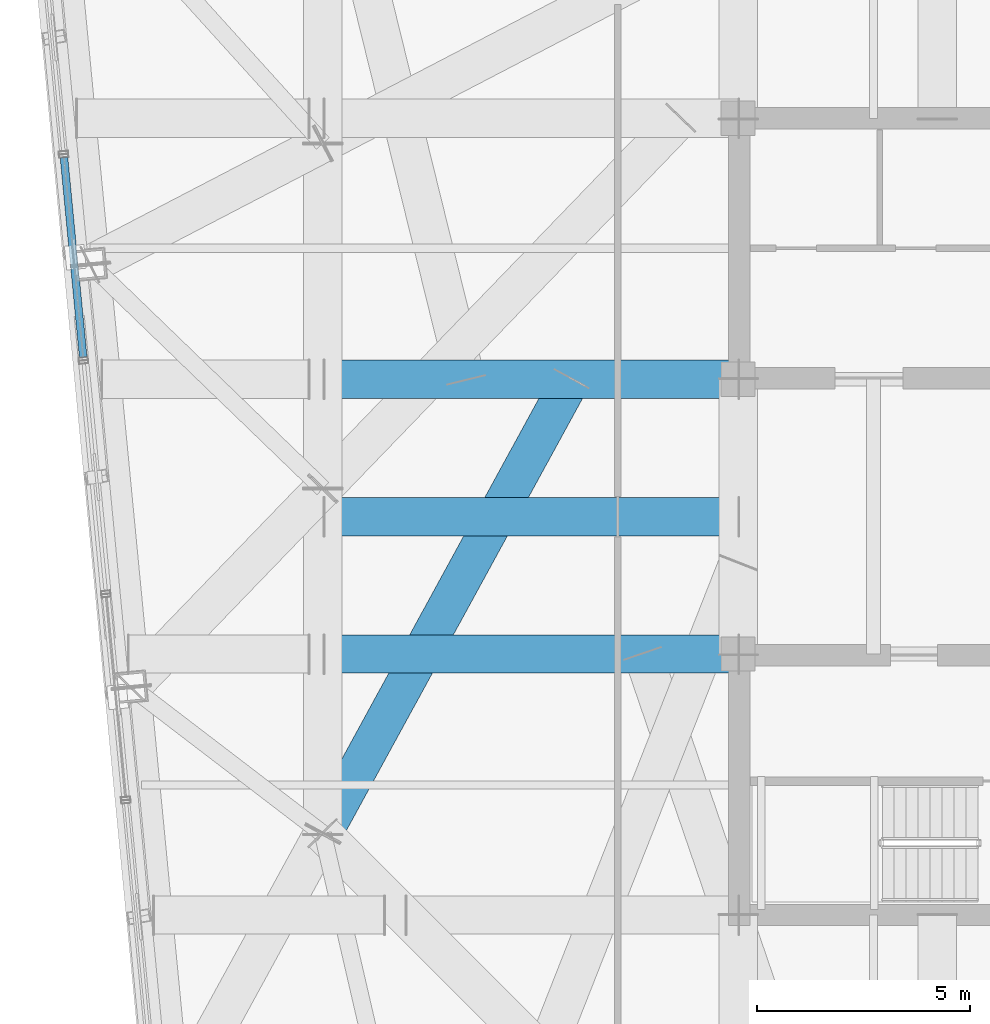
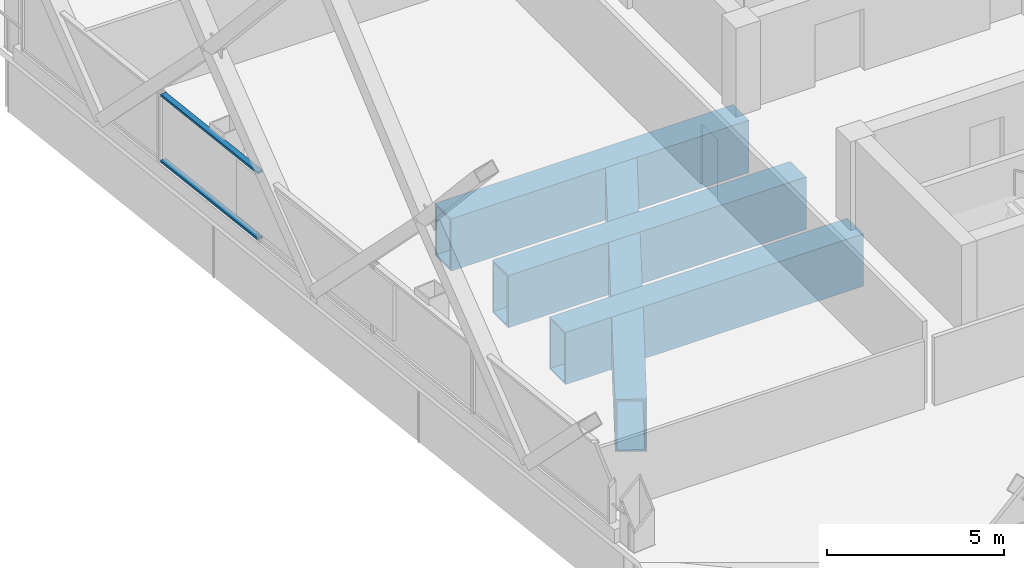
# One storey, part 11 of 37: 4 beams, 2 members, 1 element without a shape of its own.
"""IFC4 building model written with IfcOpenShell, lengths in metres."""

from ifc_helpers import new_model, si_unit, direction, frame, origin, origin_2d, place, context, subcontext, project, spatial, hollow_rectangle, extrude, material, layer, layer_set, material_profile, profile_set, type_object, element, aggregate, save


model = new_model("IFC4")

# Units and contexts
model_context = context("Model", 3, precision=1e-05, world=origin(), true_north=direction((0.0, 1.0)))
body_context = subcontext(model_context, "Body", "Model", "MODEL_VIEW")
ifc_project = project(units=[si_unit("LENGTHUNIT", "METRE"), si_unit("AREAUNIT", "SQUARE_METRE"), si_unit("VOLUMEUNIT", "CUBIC_METRE"), si_unit("PLANEANGLEUNIT", "RADIAN"), si_unit("MASSUNIT", "GRAM", prefix="KILO")], contexts=[model_context])

# Site, building, storey
site_placement = place(None, origin())
site = spatial("IfcSite", under=ifc_project, at=site_placement, CompositionType="ELEMENT")
building_placement = place(site_placement, origin())
building = spatial("IfcBuilding", under=site, at=building_placement, Name="Qhalaya Broadcast Tower", CompositionType="ELEMENT")
storey_placement = place(building_placement, frame((0.0, 0.0, 156.14990234375)))
storey = spatial("IfcBuildingStorey", under=building, at=storey_placement, Name="L45", CompositionType="ELEMENT", Elevation=156.14990234375)

# Beams
ifc_material_1 = material(Name="Structural Steel ASTM A572 Grade 50", Category="steel")
ifc_material_profile_1 = material_profile(ifc_material_1, hollow_rectangle(XDim=0.89990234375, YDim=1.800048828125, WallThickness=0.06005859375, at=origin_2d()), Name="BOX 900x1800x60")
ifc_profile_set_1 = profile_set([ifc_material_profile_1], Name="Structural Steel ASTM A572 Grade 50")
beam_type = type_object("IfcBeamType", Name="Block Cantilever Transfer Box Girder TG1", PredefinedType="USERDEFINED", material=ifc_profile_set_1)
for number, where, z_axis, x_axis, name in (
    (1, (-19.080078125, 0.60009765625, -1.119873046875), (1.0, 0.0, 0.0), (0.0, 1.0, 0.0), "L45 TG1 L45-TGIYW-1"),
    (2, (-19.080078125, -2.625, -1.119873046875), (1.0, 0.0, 0.0), (0.0, 1.0, 0.0), "L45 TG1 L45-TGIY2W-1"),
    (3, (-19.080078125, 3.824951171875, -1.119873046875), (1.0, 0.0, 0.0), (0.0, 1.0, 0.0), "L45 TG1 L45-TGIY3W-1"),
):
    element("IfcBeam", number, at=place(storey_placement, frame(where, z_axis=z_axis, x_axis=x_axis)), inside=storey, type_object=beam_type, Name=name, ObjectType="GIRDER", PredefinedType="USERDEFINED", context=body_context, shape_type="SweptSolid", body=[
        extrude(hollow_rectangle(XDim=0.89990234375, YDim=1.800048828125, WallThickness=0.06005859375, at=origin_2d()), origin(), (0.0, 0.0, 1.0), 9.705078125),
    ])
beam_placement = place(storey_placement, frame((-13.290771484375, 3.824951171875, -1.119873046875), z_axis=(-0.479616149021, -0.877478404064, 0.0), x_axis=(0.877478404064, -0.479616149021, 0.0)))
element("IfcBeam", 4, at=beam_placement, inside=storey, type_object=beam_type, Name="L45 Collinear Back-Span Transfer Box Girder 16", ObjectType="GIRDER", PredefinedType="USERDEFINED", context=body_context, shape_type="SweptSolid", body=[
    extrude(hollow_rectangle(XDim=0.89990234375, YDim=1.800048828125, WallThickness=0.06005859375, at=origin_2d()), origin(), (0.0, 0.0, 1.0), 12.154296875),
])

# Curtain wall, members
ifc_material_2 = material(Name="Solar-Control Low-E Triple Glazing", Category="glass")
ifc_layer = layer(ifc_material_2, 0.219970703125, Name="Solar-Control Low-E Triple Glazing")
ifc_layer_set = layer_set([ifc_layer], Name="Solar-Control Low-E Triple Glazing")
curtain_wall_type = type_object("IfcCurtainWallType", Name="Even-Block 4-Storey Double-Module Curtain Wall CW-03", PredefinedType="NOTDEFINED", material=ifc_layer_set)
curtain_wall_placement = place(storey_placement, origin())
curtain_wall = element("IfcCurtainWall", 5, at=curtain_wall_placement, inside=storey, type_object=curtain_wall_type, Name="L45 Unitised Curtain Wall L45-CW-W2", PredefinedType="NOTDEFINED")
ifc_material_3 = material(Name="Anodised Aluminium 6063-T6", Category="aluminium")
ifc_material_profile_2 = material_profile(ifc_material_3, hollow_rectangle(XDim=0.074951171875, YDim=0.179931640625, WallThickness=0.00390625, at=origin_2d()), Name="ALU-TRN 75x180x4")
ifc_profile_set_2 = profile_set([ifc_material_profile_2], Name="Anodised Aluminium 6063-T6")
member_type = type_object("IfcMemberType", Name="Unitised Curtain-Wall Transom T01", PredefinedType="USERDEFINED", material=ifc_profile_set_2)
member_1_placement = place(storey_placement, frame((-25.19580078125, 9.028564453125, 0.517578125), z_axis=(0.095823993558, -0.995398293277, 0.0), x_axis=(0.0, 0.0, 1.0)))
member_1 = element("IfcMember", 6, at=member_1_placement, type_object=member_type, Name="CW-03 transom 1.1", ObjectType="TRANSOM", PredefinedType="USERDEFINED", context=body_context, shape_type="SweptSolid", body=[
    extrude(hollow_rectangle(XDim=0.074951171875, YDim=0.179931640625, WallThickness=0.00390625, at=origin_2d()), origin(), (0.0, 0.0, 1.0), 4.7109375),
])
member_2_placement = place(storey_placement, frame((-25.19580078125, 9.028564453125, 2.79248046875), z_axis=(0.095823993558, -0.995398293277, 0.0), x_axis=(0.0, 0.0, 1.0)))
member_2 = element("IfcMember", 7, at=member_2_placement, type_object=member_type, Name="CW-03 transom 1.2", ObjectType="TRANSOM", PredefinedType="USERDEFINED", context=body_context, shape_type="SweptSolid", body=[
    extrude(hollow_rectangle(XDim=0.074951171875, YDim=0.179931640625, WallThickness=0.00390625, at=origin_2d()), origin(), (0.0, 0.0, 1.0), 4.7109375),
])
aggregate(curtain_wall, [member_1, member_2])

save(model, "model.ifc")
